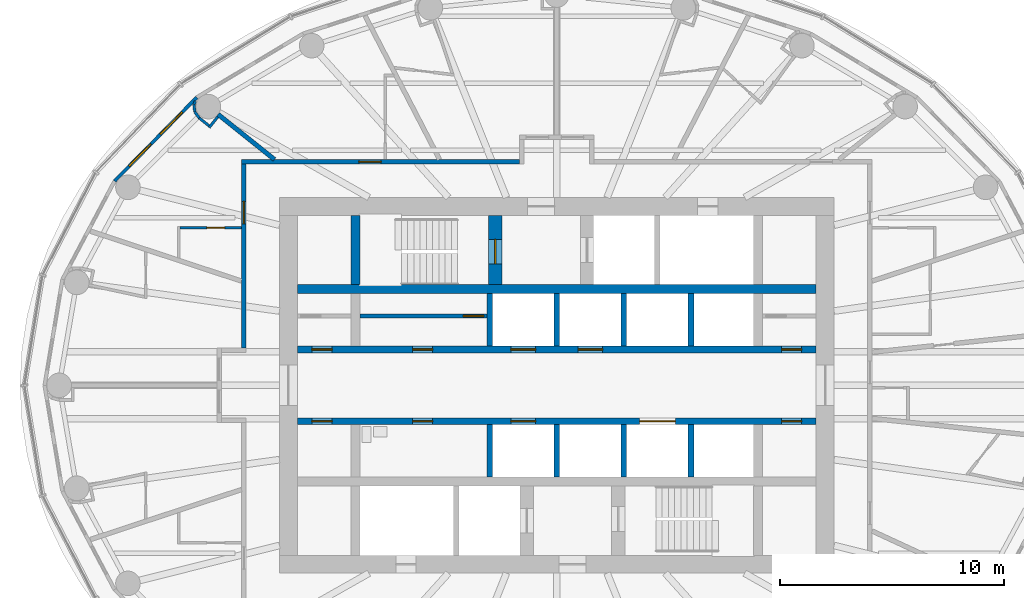
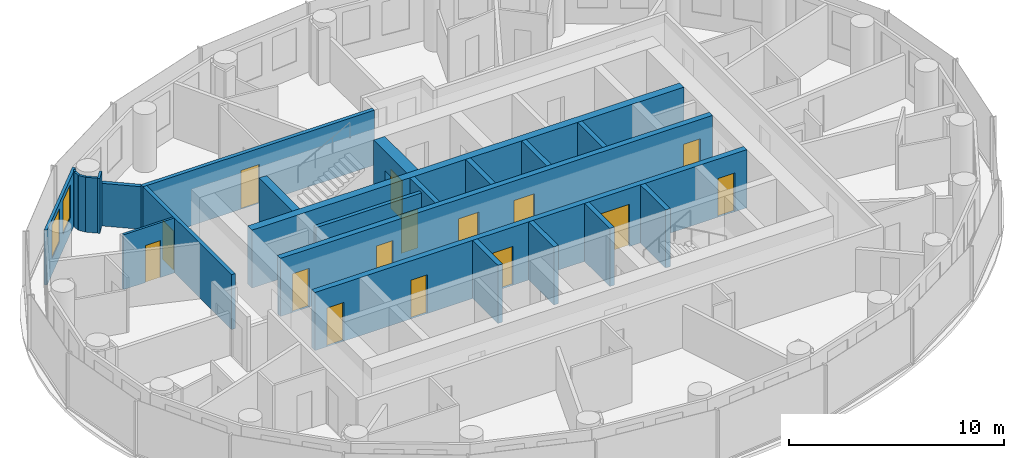
# One storey, part 9 of 16: 24 walls, 15 doors, 2 windows, 17 openings.
"""IFC4 building model written with IfcOpenShell, lengths in metres."""

from ifc_helpers import new_model, si_unit, direction, frame, frame_2d, origin, place, context, subcontext, project, spatial, rectangle, extrude, material, layer, layer_set, type_object, element, fill, save


model = new_model("IFC4")

# Units and contexts
model_context = context("Model", 3, precision=1e-05, world=origin(), true_north=direction((0.0, 1.0)))
body_context = subcontext(model_context, "Body", "Model", "MODEL_VIEW")
ifc_project = project(units=[si_unit("LENGTHUNIT", "METRE"), si_unit("AREAUNIT", "SQUARE_METRE"), si_unit("VOLUMEUNIT", "CUBIC_METRE"), si_unit("PLANEANGLEUNIT", "RADIAN"), si_unit("MASSUNIT", "GRAM", prefix="KILO")], contexts=[model_context])

# Site, building, storey
site_placement = place(None, origin())
site = spatial("IfcSite", under=ifc_project, at=site_placement, CompositionType="ELEMENT")
building_placement = place(site_placement, origin())
building = spatial("IfcBuilding", under=site, at=building_placement, Name="Hankou Lantern Tower", CompositionType="ELEMENT")
storey_placement = place(building_placement, frame((0.0, 0.0, 169.800048828125)))
storey = spatial("IfcBuildingStorey", under=building, at=storey_placement, Name="L45", CompositionType="ELEMENT", Elevation=169.800048828125)

# Walls
ifc_material_1 = material(Name="Concrete C60", Category="concrete")
ifc_layer_1 = layer(ifc_material_1, 0.39990234375)
ifc_layer_set_1 = layer_set([ifc_layer_1], Name="Concrete C60")
wall_type_1 = type_object("IfcWallType", Name="CW4 CORE CROSS WALL 400", PredefinedType="SHEAR", material=ifc_layer_set_1)
wall_1_placement = place(storey_placement, frame((-11.60009765625, 4.300048828125, 0.0), z_axis=(0.0, 0.0, 1.0), x_axis=(1.0, 0.0, 0.0)))
element("IfcWall", 1, at=wall_1_placement, inside=storey, type_object=wall_type_1, Name="Core band wall north L45", PredefinedType="SHEAR", context=body_context, shape_type="SweptSolid", body=[
    extrude(rectangle(XDim=23.2001953125, YDim=0.39990234375, at=frame_2d((11.60009765625, 0.0))), origin(), (0.0, 0.0, 1.0), 3.300048828125),
])
wall_2_placement = place(storey_placement, frame((-9.0, 4.5, 0.0), z_axis=(0.0, 0.0, 1.0), x_axis=(0.0, 1.0, 0.0)))
element("IfcWall", 2, at=wall_2_placement, inside=storey, type_object=wall_type_1, Name="Core strip wall L45", PredefinedType="SHEAR", context=body_context, shape_type="SweptSolid", body=[
    extrude(rectangle(XDim=3.10009765625, YDim=0.39990234375, at=frame_2d((1.550048828125, 0.0))), origin(), (0.0, 0.0, 1.0), 3.300048828125),
])

# Wall, openings, doors
ifc_material_2 = material(Name="Concrete C60", Category="concrete")
ifc_layer_2 = layer(ifc_material_2, 0.300048828125)
ifc_layer_set_2 = layer_set([ifc_layer_2], Name="Concrete C60")
wall_type_2 = type_object("IfcWallType", Name="CW5 LIFT LOBBY WALL 300", PredefinedType="SHEAR", material=ifc_layer_set_2)
wall_3_placement = place(storey_placement, frame((-11.60009765625, 1.60009765625, 0.0), z_axis=(0.0, 0.0, 1.0), x_axis=(1.0, 0.0, 0.0)))
wall_3 = element("IfcWall", 3, at=wall_3_placement, inside=storey, type_object=wall_type_2, Name="Lift lobby wall north L45", PredefinedType="SHEAR", context=body_context, shape_type="SweptSolid", body=[
    extrude(rectangle(XDim=23.2001953125, YDim=0.300048828125, at=frame_2d((11.60009765625, 0.0))), origin(), (0.0, 0.0, 1.0), 3.300048828125),
])
opening_1_placement = place(wall_3_placement, frame((9.550048828125, 0.0, 0.0)))
opening_1 = element("IfcOpeningElement", 4, at=opening_1_placement, cuts=wall_3, Name="Opening LD1", PredefinedType="OPENING", context=body_context, shape_type="SweptSolid", body=[
    extrude(rectangle(XDim=1.10009765625, YDim=2.199951171875, at=frame_2d((0.550048828125, 1.10009765625))), frame((0.0, 0.159912109375, 0.0), z_axis=(0.0, -1.0, 0.0), x_axis=(1.0, 0.0, 0.0)), (0.0, 0.0, 1.0), 0.320068359375),
])
opening_2_placement = place(wall_3_placement, frame((12.550048828125, 0.0, 0.0)))
opening_2 = element("IfcOpeningElement", 5, at=opening_2_placement, cuts=wall_3, Name="Opening LD1", PredefinedType="OPENING", context=body_context, shape_type="SweptSolid", body=[
    extrude(rectangle(XDim=1.10009765625, YDim=2.199951171875, at=frame_2d((0.550048828125, 1.10009765625))), frame((0.0, 0.159912109375, 0.0), z_axis=(0.0, -1.0, 0.0), x_axis=(1.0, 0.0, 0.0)), (0.0, 0.0, 1.0), 0.320068359375),
])
opening_3_placement = place(wall_3_placement, frame((0.64990234375, 0.0, 0.0)))
opening_3 = element("IfcOpeningElement", 6, at=opening_3_placement, cuts=wall_3, Name="Opening D30", PredefinedType="OPENING", context=body_context, shape_type="SweptSolid", body=[
    extrude(rectangle(XDim=0.89990234375, YDim=2.199951171875, at=frame_2d((0.449951171875, 1.10009765625))), frame((0.0, 0.159912109375, 0.0), z_axis=(0.0, -1.0, 0.0), x_axis=(1.0, 0.0, 0.0)), (0.0, 0.0, 1.0), 0.320068359375),
])
opening_4_placement = place(wall_3_placement, frame((5.14990234375, 0.0, 0.0)))
opening_4 = element("IfcOpeningElement", 7, at=opening_4_placement, cuts=wall_3, Name="Opening D30", PredefinedType="OPENING", context=body_context, shape_type="SweptSolid", body=[
    extrude(rectangle(XDim=0.89990234375, YDim=2.199951171875, at=frame_2d((0.449951171875, 1.10009765625))), frame((0.0, 0.159912109375, 0.0), z_axis=(0.0, -1.0, 0.0), x_axis=(1.0, 0.0, 0.0)), (0.0, 0.0, 1.0), 0.320068359375),
])
opening_5_placement = place(wall_3_placement, frame((21.64990234375, 0.0, 0.0)))
opening_5 = element("IfcOpeningElement", 8, at=opening_5_placement, cuts=wall_3, Name="Opening D30", PredefinedType="OPENING", context=body_context, shape_type="SweptSolid", body=[
    extrude(rectangle(XDim=0.89990234375, YDim=2.199951171875, at=frame_2d((0.449951171875, 1.10009765625))), frame((0.0, 0.159912109375, 0.0), z_axis=(0.0, -1.0, 0.0), x_axis=(1.0, 0.0, 0.0)), (0.0, 0.0, 1.0), 0.320068359375),
])
ifc_material_3 = material(Name="Steel door leaf", Category="steel")
door_type_1 = type_object("IfcDoorType", Name="D30 CORE ROOM DOOR 900X2200", OperationType="SINGLE_SWING_LEFT", PredefinedType="DOOR", material=ifc_material_3)
door_1_placement = place(opening_3_placement, origin())
door_1 = element("IfcDoor", 9, at=door_1_placement, inside=storey, type_object=door_type_1, Name="Guest pantry and ice room door", OperationType="SINGLE_SWING_LEFT", OverallHeight=2.199951171875, OverallWidth=0.89990234375, PredefinedType="DOOR", context=body_context, shape_type="SweptSolid", body=[
    extrude(rectangle(XDim=0.89990234375, YDim=2.199951171875, at=frame_2d((0.449951171875, 1.10009765625))), frame((0.0, 0.02490234375, 0.0), z_axis=(0.0, -1.0, 0.0), x_axis=(1.0, 0.0, 0.0)), (0.0, 0.0, 1.0), 0.050048828125),
])
fill(opening_3, door_1)
door_2_placement = place(opening_4_placement, origin())
door_2 = element("IfcDoor", 10, at=door_2_placement, inside=storey, type_object=door_type_1, Name="Vending room door", OperationType="SINGLE_SWING_LEFT", OverallHeight=2.199951171875, OverallWidth=0.89990234375, PredefinedType="DOOR", context=body_context, shape_type="SweptSolid", body=[
    extrude(rectangle(XDim=0.89990234375, YDim=2.199951171875, at=frame_2d((0.449951171875, 1.10009765625))), frame((0.0, 0.02490234375, 0.0), z_axis=(0.0, -1.0, 0.0), x_axis=(1.0, 0.0, 0.0)), (0.0, 0.0, 1.0), 0.050048828125),
])
fill(opening_4, door_2)
door_3_placement = place(opening_5_placement, origin())
door_3 = element("IfcDoor", 11, at=door_3_placement, inside=storey, type_object=door_type_1, Name="Staff locker room door", OperationType="SINGLE_SWING_RIGHT", OverallHeight=2.199951171875, OverallWidth=0.89990234375, PredefinedType="DOOR", context=body_context, shape_type="SweptSolid", body=[
    extrude(rectangle(XDim=0.89990234375, YDim=2.199951171875, at=frame_2d((0.449951171875, 1.10009765625))), frame((0.0, 0.02490234375, 0.0), z_axis=(0.0, -1.0, 0.0), x_axis=(1.0, 0.0, 0.0)), (0.0, 0.0, 1.0), 0.050048828125),
])
fill(opening_5, door_3)
ifc_material_4 = material(Name="Steel door leaf", Category="steel")
door_type_2 = type_object("IfcDoorType", Name="LD1 LIFT LANDING DOOR 1100X2200", OperationType="DOUBLE_DOOR_SLIDING", PredefinedType="DOOR", material=ifc_material_4)
door_4_placement = place(opening_1_placement, origin())
door_4 = element("IfcDoor", 12, at=door_4_placement, inside=storey, type_object=door_type_2, Name="Lift H1 landing door", OperationType="DOUBLE_DOOR_SLIDING", OverallHeight=2.199951171875, OverallWidth=1.10009765625, PredefinedType="DOOR", context=body_context, shape_type="SweptSolid", body=[
    extrude(rectangle(XDim=1.10009765625, YDim=2.199951171875, at=frame_2d((0.550048828125, 1.10009765625))), frame((0.0, 0.02490234375, 0.0), z_axis=(0.0, -1.0, 0.0), x_axis=(1.0, 0.0, 0.0)), (0.0, 0.0, 1.0), 0.050048828125),
])
fill(opening_1, door_4)
door_5_placement = place(opening_2_placement, origin())
door_5 = element("IfcDoor", 13, at=door_5_placement, inside=storey, type_object=door_type_2, Name="Lift H2 landing door", OperationType="DOUBLE_DOOR_SLIDING", OverallHeight=2.199951171875, OverallWidth=1.10009765625, PredefinedType="DOOR", context=body_context, shape_type="SweptSolid", body=[
    extrude(rectangle(XDim=1.10009765625, YDim=2.199951171875, at=frame_2d((0.550048828125, 1.10009765625))), frame((0.0, 0.02490234375, 0.0), z_axis=(0.0, -1.0, 0.0), x_axis=(1.0, 0.0, 0.0)), (0.0, 0.0, 1.0), 0.050048828125),
])
fill(opening_2, door_5)

wall_4_placement = place(storey_placement, frame((-11.60009765625, -1.60009765625, 0.0), z_axis=(0.0, 0.0, 1.0), x_axis=(1.0, 0.0, 0.0)))
wall_4 = element("IfcWall", 14, at=wall_4_placement, inside=storey, type_object=wall_type_2, Name="Lift lobby wall south L45", PredefinedType="SHEAR", context=body_context, shape_type="SweptSolid", body=[
    extrude(rectangle(XDim=23.2001953125, YDim=0.300048828125, at=frame_2d((11.60009765625, 0.0))), origin(), (0.0, 0.0, 1.0), 3.300048828125),
])
opening_6_placement = place(wall_4_placement, frame((9.550048828125, 0.0, 0.0)))
opening_6 = element("IfcOpeningElement", 15, at=opening_6_placement, cuts=wall_4, Name="Opening LD1", PredefinedType="OPENING", context=body_context, shape_type="SweptSolid", body=[
    extrude(rectangle(XDim=1.10009765625, YDim=2.199951171875, at=frame_2d((0.550048828125, 1.10009765625))), frame((0.0, 0.159912109375, 0.0), z_axis=(0.0, -1.0, 0.0), x_axis=(1.0, 0.0, 0.0)), (0.0, 0.0, 1.0), 0.320068359375),
])
opening_7_placement = place(wall_4_placement, frame((15.300048828125, 0.0, 0.0)))
opening_7 = element("IfcOpeningElement", 16, at=opening_7_placement, cuts=wall_4, Name="Opening LD4", PredefinedType="OPENING", context=body_context, shape_type="SweptSolid", body=[
    extrude(rectangle(XDim=1.60009765625, YDim=2.39990234375, at=frame_2d((0.800048828125, 1.199951171875))), frame((0.0, 0.159912109375, 0.0), z_axis=(0.0, -1.0, 0.0), x_axis=(1.0, 0.0, 0.0)), (0.0, 0.0, 1.0), 0.320068359375),
])
opening_8_placement = place(wall_4_placement, frame((0.64990234375, 0.0, 0.0)))
opening_8 = element("IfcOpeningElement", 17, at=opening_8_placement, cuts=wall_4, Name="Opening D30", PredefinedType="OPENING", context=body_context, shape_type="SweptSolid", body=[
    extrude(rectangle(XDim=0.89990234375, YDim=2.199951171875, at=frame_2d((0.449951171875, 1.10009765625))), frame((0.0, 0.159912109375, 0.0), z_axis=(0.0, -1.0, 0.0), x_axis=(1.0, 0.0, 0.0)), (0.0, 0.0, 1.0), 0.320068359375),
])
opening_9_placement = place(wall_4_placement, frame((5.14990234375, 0.0, 0.0)))
opening_9 = element("IfcOpeningElement", 18, at=opening_9_placement, cuts=wall_4, Name="Opening D30", PredefinedType="OPENING", context=body_context, shape_type="SweptSolid", body=[
    extrude(rectangle(XDim=0.89990234375, YDim=2.199951171875, at=frame_2d((0.449951171875, 1.10009765625))), frame((0.0, 0.159912109375, 0.0), z_axis=(0.0, -1.0, 0.0), x_axis=(1.0, 0.0, 0.0)), (0.0, 0.0, 1.0), 0.320068359375),
])
opening_10_placement = place(wall_4_placement, frame((21.64990234375, 0.0, 0.0)))
opening_10 = element("IfcOpeningElement", 19, at=opening_10_placement, cuts=wall_4, Name="Opening D30", PredefinedType="OPENING", context=body_context, shape_type="SweptSolid", body=[
    extrude(rectangle(XDim=0.89990234375, YDim=2.199951171875, at=frame_2d((0.449951171875, 1.10009765625))), frame((0.0, 0.159912109375, 0.0), z_axis=(0.0, -1.0, 0.0), x_axis=(1.0, 0.0, 0.0)), (0.0, 0.0, 1.0), 0.320068359375),
])
door_6_placement = place(opening_8_placement, origin())
door_6 = element("IfcDoor", 20, at=door_6_placement, inside=storey, type_object=door_type_1, Name="Room service pantry door", OperationType="SINGLE_SWING_LEFT", OverallHeight=2.199951171875, OverallWidth=0.89990234375, PredefinedType="DOOR", context=body_context, shape_type="SweptSolid", body=[
    extrude(rectangle(XDim=0.89990234375, YDim=2.199951171875, at=frame_2d((0.449951171875, 1.10009765625))), frame((0.0, 0.02490234375, 0.0), z_axis=(0.0, -1.0, 0.0), x_axis=(1.0, 0.0, 0.0)), (0.0, 0.0, 1.0), 0.050048828125),
])
fill(opening_8, door_6)
door_7_placement = place(opening_9_placement, origin())
door_7 = element("IfcDoor", 21, at=door_7_placement, inside=storey, type_object=door_type_1, Name="Accessible staff WC door", OperationType="SINGLE_SWING_LEFT", OverallHeight=2.199951171875, OverallWidth=0.89990234375, PredefinedType="DOOR", context=body_context, shape_type="SweptSolid", body=[
    extrude(rectangle(XDim=0.89990234375, YDim=2.199951171875, at=frame_2d((0.449951171875, 1.10009765625))), frame((0.0, 0.02490234375, 0.0), z_axis=(0.0, -1.0, 0.0), x_axis=(1.0, 0.0, 0.0)), (0.0, 0.0, 1.0), 0.050048828125),
])
fill(opening_9, door_7)
door_8_placement = place(opening_10_placement, origin())
door_8 = element("IfcDoor", 22, at=door_8_placement, inside=storey, type_object=door_type_1, Name="Housekeeping and linen store door", OperationType="SINGLE_SWING_RIGHT", OverallHeight=2.199951171875, OverallWidth=0.89990234375, PredefinedType="DOOR", context=body_context, shape_type="SweptSolid", body=[
    extrude(rectangle(XDim=0.89990234375, YDim=2.199951171875, at=frame_2d((0.449951171875, 1.10009765625))), frame((0.0, 0.02490234375, 0.0), z_axis=(0.0, -1.0, 0.0), x_axis=(1.0, 0.0, 0.0)), (0.0, 0.0, 1.0), 0.050048828125),
])
fill(opening_10, door_8)
door_9_placement = place(opening_6_placement, origin())
door_9 = element("IfcDoor", 23, at=door_9_placement, inside=storey, type_object=door_type_2, Name="Lift H3 landing door", OperationType="DOUBLE_DOOR_SLIDING", OverallHeight=2.199951171875, OverallWidth=1.10009765625, PredefinedType="DOOR", context=body_context, shape_type="SweptSolid", body=[
    extrude(rectangle(XDim=1.10009765625, YDim=2.199951171875, at=frame_2d((0.550048828125, 1.10009765625))), frame((0.0, 0.02490234375, 0.0), z_axis=(0.0, -1.0, 0.0), x_axis=(1.0, 0.0, 0.0)), (0.0, 0.0, 1.0), 0.050048828125),
])
fill(opening_6, door_9)
ifc_material_5 = material(Name="Steel door leaf", Category="steel")
door_type_3 = type_object("IfcDoorType", Name="LD4 SERVICE LIFT LANDING DOOR 1600X2400", OperationType="DOUBLE_DOOR_SLIDING", PredefinedType="DOOR", material=ifc_material_5)
door_10_placement = place(opening_7_placement, origin())
door_10 = element("IfcDoor", 24, at=door_10_placement, inside=storey, type_object=door_type_3, Name="Lift SV1 landing door", OperationType="DOUBLE_DOOR_SLIDING", OverallHeight=2.39990234375, OverallWidth=1.60009765625, PredefinedType="DOOR", context=body_context, shape_type="SweptSolid", body=[
    extrude(rectangle(XDim=1.60009765625, YDim=2.39990234375, at=frame_2d((0.800048828125, 1.199951171875))), frame((0.0, 0.02490234375, 0.0), z_axis=(0.0, -1.0, 0.0), x_axis=(1.0, 0.0, 0.0)), (0.0, 0.0, 1.0), 0.050048828125),
])
fill(opening_7, door_10)

# Wall, opening, door
ifc_material_6 = material(Name="Concrete C60", Category="concrete")
ifc_layer_3 = layer(ifc_material_6, 0.60009765625)
ifc_layer_set_3 = layer_set([ifc_layer_3], Name="Concrete C60")
wall_type_3 = type_object("IfcWallType", Name="CW6 STAIR AND SHAFT WALL 600", PredefinedType="SHEAR", material=ifc_layer_set_3)
wall_5_placement = place(storey_placement, frame((-2.75, 4.5, 0.0), z_axis=(0.0, 0.0, 1.0), x_axis=(0.0, 1.0, 0.0)))
wall_5 = element("IfcWall", 25, at=wall_5_placement, inside=storey, type_object=wall_type_3, Name="Stair wall L45", PredefinedType="SHEAR", context=body_context, shape_type="SweptSolid", body=[
    extrude(rectangle(XDim=3.10009765625, YDim=0.60009765625, at=frame_2d((1.550048828125, 0.0))), origin(), (0.0, 0.0, 1.0), 3.300048828125),
])
opening_11_placement = place(wall_5_placement, frame((0.925048828125, 0.0, 0.0)))
opening_11 = element("IfcOpeningElement", 26, at=opening_11_placement, cuts=wall_5, Name="Opening D4", PredefinedType="OPENING", context=body_context, shape_type="SweptSolid", body=[
    extrude(rectangle(XDim=1.10009765625, YDim=2.199951171875, at=frame_2d((0.550048828125, 1.10009765625))), frame((0.0, 0.31005859375, 0.0), z_axis=(0.0, -1.0, 0.0), x_axis=(1.0, 0.0, 0.0)), (0.0, 0.0, 1.0), 0.6201171875),
])
ifc_material_7 = material(Name="Steel door leaf", Category="steel")
door_type_4 = type_object("IfcDoorType", Name="D4 STAIR DOOR 1100X2200", OperationType="SINGLE_SWING_LEFT", PredefinedType="DOOR", material=ifc_material_7)
door_11_placement = place(opening_11_placement, origin())
door_11 = element("IfcDoor", 27, at=door_11_placement, inside=storey, type_object=door_type_4, Name="Stair A door", OperationType="SINGLE_SWING_LEFT", OverallHeight=2.199951171875, OverallWidth=1.10009765625, PredefinedType="DOOR", context=body_context, shape_type="SweptSolid", body=[
    extrude(rectangle(XDim=1.10009765625, YDim=2.199951171875, at=frame_2d((0.550048828125, 1.10009765625))), frame((0.0, 0.02490234375, 0.0), z_axis=(0.0, -1.0, 0.0), x_axis=(1.0, 0.0, 0.0)), (0.0, 0.0, 1.0), 0.050048828125),
])
fill(opening_11, door_11)

# Wall, openings, windows
ifc_material_8 = material(Name="Aluminium spandrel panel on steel studs", Category="steel")
ifc_layer_4 = layer(ifc_material_8, 0.14990234375)
ifc_layer_set_4 = layer_set([ifc_layer_4], Name="Aluminium spandrel panel on steel studs")
wall_type_4 = type_object("IfcWallType", Name="EW1 INNER SKIN WALL 150", PredefinedType="ELEMENTEDWALL", material=ifc_layer_set_4)
wall_6_placement = place(storey_placement, frame((-16.0947265625, 12.875732421875, 0.0), z_axis=(0.0, 0.0, 1.0), x_axis=(-0.700727467776, -0.71342905457, 0.0)))
wall_6 = element("IfcWall", 28, at=wall_6_placement, inside=storey, type_object=wall_type_4, Name="Inner skin R10-R11 L45", PredefinedType="ELEMENTEDWALL", context=body_context, shape_type="SweptSolid", body=[
    extrude(rectangle(XDim=5.247314453125, YDim=0.14990234375, at=frame_2d((2.62353515625, 0.0))), origin(), (0.0, 0.0, 1.0), 3.119873046875),
])
opening_12_placement = place(wall_6_placement, frame((0.923583984375, 0.0, 0.89990234375)))
opening_12 = element("IfcOpeningElement", 29, at=opening_12_placement, cuts=wall_6, Name="Opening W3", PredefinedType="OPENING", context=body_context, shape_type="SweptSolid", body=[
    extrude(rectangle(XDim=1.39990234375, YDim=1.89990234375, at=frame_2d((0.699951171875, 0.949951171875))), frame((0.0, 0.0849609375, 0.0), z_axis=(0.0, -1.0, 0.0), x_axis=(1.0, 0.0, 0.0)), (0.0, 0.0, 1.0), 0.169921875),
])
opening_13_placement = place(wall_6_placement, frame((2.923583984375, 0.0, 0.89990234375)))
opening_13 = element("IfcOpeningElement", 30, at=opening_13_placement, cuts=wall_6, Name="Opening W3", PredefinedType="OPENING", context=body_context, shape_type="SweptSolid", body=[
    extrude(rectangle(XDim=1.39990234375, YDim=1.89990234375, at=frame_2d((0.699951171875, 0.949951171875))), frame((0.0, 0.0849609375, 0.0), z_axis=(0.0, -1.0, 0.0), x_axis=(1.0, 0.0, 0.0)), (0.0, 0.0, 1.0), 0.169921875),
])
ifc_material_9 = material(Name="Aluminium framed double glazed window", Category="aluminium")
window_type = type_object("IfcWindowType", Name="W3 GUEST ROOM WINDOW 1400X1900", PartitioningType="DOUBLE_PANEL_VERTICAL", PredefinedType="WINDOW", material=ifc_material_9)
window_1_placement = place(opening_12_placement, origin())
window_1 = element("IfcWindow", 31, at=window_1_placement, inside=storey, type_object=window_type, Name="Window R10.1 L45", OverallHeight=1.89990234375, OverallWidth=1.39990234375, PartitioningType="SINGLE_PANEL", PredefinedType="WINDOW", context=body_context, shape_type="SweptSolid", body=[
    extrude(rectangle(XDim=1.39990234375, YDim=1.89990234375, at=frame_2d((0.699951171875, 0.949951171875))), frame((0.0, 0.030029296875, 0.0), z_axis=(0.0, -1.0, 0.0), x_axis=(1.0, 0.0, 0.0)), (0.0, 0.0, 1.0), 0.06005859375),
])
fill(opening_12, window_1)
window_2_placement = place(opening_13_placement, origin())
window_2 = element("IfcWindow", 32, at=window_2_placement, inside=storey, type_object=window_type, Name="Window R10.2 L45", OverallHeight=1.89990234375, OverallWidth=1.39990234375, PartitioningType="SINGLE_PANEL", PredefinedType="WINDOW", context=body_context, shape_type="SweptSolid", body=[
    extrude(rectangle(XDim=1.39990234375, YDim=1.89990234375, at=frame_2d((0.699951171875, 0.949951171875))), frame((0.0, 0.030029296875, 0.0), z_axis=(0.0, -1.0, 0.0), x_axis=(1.0, 0.0, 0.0)), (0.0, 0.0, 1.0), 0.06005859375),
])
fill(opening_13, window_2)

# Wall
ifc_material_10 = material(Name="Masonry lightweight concrete block", Category="masonry")
ifc_layer_5 = layer(ifc_material_10, 0.199951171875)
ifc_layer_set_5 = layer_set([ifc_layer_5], Name="Masonry lightweight concrete block")
wall_type_5 = type_object("IfcWallType", Name="IW1 GUEST ROOM PARTY WALL 200", PredefinedType="PARTITIONING", material=ifc_layer_set_5)
wall_7_placement = place(storey_placement, frame((-12.625, 10.10009765625, 0.0), z_axis=(0.0, 0.0, 1.0), x_axis=(-0.780876185034, 0.624685827954, 0.0)))
element("IfcWall", 33, at=wall_7_placement, inside=storey, type_object=wall_type_5, Name="Party wall R10", PredefinedType="PARTITIONING", context=body_context, shape_type="SweptSolid", body=[
    extrude(rectangle(XDim=3.229248046875, YDim=0.199951171875, at=frame_2d((1.61474609375, 0.0))), origin(), (0.0, 0.0, 1.0), 2.419921875),
])

# Wall, opening, door
ifc_material_11 = material(Name="Masonry lightweight concrete block", Category="masonry")
ifc_layer_6 = layer(ifc_material_11, 0.199951171875)
ifc_layer_set_6 = layer_set([ifc_layer_6], Name="Masonry lightweight concrete block")
wall_type_6 = type_object("IfcWallType", Name="IW2 CORRIDOR WALL 200", PredefinedType="PARTITIONING", material=ifc_layer_set_6)
wall_8_placement = place(storey_placement, frame((-14.10009765625, 10.0, 0.0), z_axis=(0.0, 0.0, 1.0), x_axis=(1.0, 0.0, 0.0)))
wall_8 = element("IfcWall", 34, at=wall_8_placement, inside=storey, type_object=wall_type_6, Name="Corridor wall north", PredefinedType="PARTITIONING", context=body_context, shape_type="SweptSolid", body=[
    extrude(rectangle(XDim=12.43017578125, YDim=0.199951171875, at=frame_2d((6.215087890625, 0.0))), origin(), (0.0, 0.0, 1.0), 3.119873046875),
])
opening_14_placement = place(wall_8_placement, frame((5.25, 0.0, 0.0)))
opening_14 = element("IfcOpeningElement", 35, at=opening_14_placement, cuts=wall_8, Name="Opening D1", PredefinedType="OPENING", context=body_context, shape_type="SweptSolid", body=[
    extrude(rectangle(XDim=1.0, YDim=2.199951171875, at=frame_2d((0.5, 1.10009765625))), frame((0.0, 0.10986328125, 0.0), z_axis=(0.0, -1.0, 0.0), x_axis=(1.0, 0.0, 0.0)), (0.0, 0.0, 1.0), 0.219970703125),
])
ifc_material_12 = material(Name="Steel door leaf", Category="steel")
door_type_5 = type_object("IfcDoorType", Name="D1 GUEST ROOM DOOR 1000X2200", OperationType="SINGLE_SWING_LEFT", PredefinedType="DOOR", material=ifc_material_12)
door_12_placement = place(opening_14_placement, origin())
door_12 = element("IfcDoor", 36, at=door_12_placement, inside=storey, type_object=door_type_5, Name="Guest room door 4510", OperationType="SINGLE_SWING_RIGHT", OverallHeight=2.199951171875, OverallWidth=1.0, PredefinedType="DOOR", context=body_context, shape_type="SweptSolid", body=[
    extrude(rectangle(XDim=1.0, YDim=2.199951171875, at=frame_2d((0.5, 1.10009765625))), frame((0.0, 0.02490234375, 0.0), z_axis=(0.0, -1.0, 0.0), x_axis=(1.0, 0.0, 0.0)), (0.0, 0.0, 1.0), 0.050048828125),
])
fill(opening_14, door_12)

wall_9_placement = place(storey_placement, frame((-14.0, 9.89990234375, 0.0), z_axis=(0.0, 0.0, 1.0), x_axis=(0.0, -1.0, 0.0)))
wall_9 = element("IfcWall", 37, at=wall_9_placement, inside=storey, type_object=wall_type_6, Name="Corridor wall west", PredefinedType="PARTITIONING", context=body_context, shape_type="SweptSolid", body=[
    extrude(rectangle(XDim=8.22998046875, YDim=0.199951171875, at=frame_2d((4.114990234375, 0.0))), origin(), (0.0, 0.0, 1.0), 3.119873046875),
])
opening_15_placement = place(wall_9_placement, frame((1.678466796875, 0.0, 0.0)))
opening_15 = element("IfcOpeningElement", 38, at=opening_15_placement, cuts=wall_9, Name="Opening D1", PredefinedType="OPENING", context=body_context, shape_type="SweptSolid", body=[
    extrude(rectangle(XDim=1.0, YDim=2.199951171875, at=frame_2d((0.5, 1.10009765625))), frame((0.0, 0.10986328125, 0.0), z_axis=(0.0, -1.0, 0.0), x_axis=(1.0, 0.0, 0.0)), (0.0, 0.0, 1.0), 0.219970703125),
])
door_13_placement = place(opening_15_placement, origin())
door_13 = element("IfcDoor", 39, at=door_13_placement, inside=storey, type_object=door_type_5, Name="Guest room door 4511", OperationType="SINGLE_SWING_LEFT", OverallHeight=2.199951171875, OverallWidth=1.0, PredefinedType="DOOR", context=body_context, shape_type="SweptSolid", body=[
    extrude(rectangle(XDim=1.0, YDim=2.199951171875, at=frame_2d((0.5, 1.10009765625))), frame((0.0, 0.02490234375, 0.0), z_axis=(0.0, -1.0, 0.0), x_axis=(1.0, 0.0, 0.0)), (0.0, 0.0, 1.0), 0.050048828125),
])
fill(opening_15, door_13)

ifc_material_13 = material(Name="Masonry lightweight concrete block", Category="masonry")
ifc_layer_7 = layer(ifc_material_13, 0.1201171875)
ifc_layer_set_7 = layer_set([ifc_layer_7], Name="Masonry lightweight concrete block")
wall_type_7 = type_object("IfcWallType", Name="IW3 BATHROOM WALL 120", PredefinedType="PARTITIONING", material=ifc_layer_set_7)
wall_10_placement = place(storey_placement, frame((-14.10009765625, 7.04150390625, 0.0), z_axis=(0.0, 0.0, 1.0), x_axis=(-1.0, 0.0, 0.0)))
wall_10 = element("IfcWall", 40, at=wall_10_placement, inside=storey, type_object=wall_type_7, Name="Box wall 4511 1", PredefinedType="PARTITIONING", context=body_context, shape_type="SweptSolid", body=[
    extrude(rectangle(XDim=2.739990234375, YDim=0.1201171875, at=frame_2d((1.3701171875, 0.0))), origin(), (0.0, 0.0, 1.0), 3.119873046875),
])
opening_16_placement = place(wall_10_placement, frame((0.75, 0.0, 0.0)))
opening_16 = element("IfcOpeningElement", 41, at=opening_16_placement, cuts=wall_10, Name="Opening D3", PredefinedType="OPENING", context=body_context, shape_type="SweptSolid", body=[
    extrude(rectangle(XDim=0.800048828125, YDim=2.10009765625, at=frame_2d((0.39990234375, 1.050048828125))), frame((0.0, 0.070068359375, 0.0), z_axis=(0.0, -1.0, 0.0), x_axis=(1.0, 0.0, 0.0)), (0.0, 0.0, 1.0), 0.14013671875),
])
ifc_material_14 = material(Name="Timber door leaf", Category="wood")
door_type_6 = type_object("IfcDoorType", Name="D3 BATHROOM DOOR 800X2100", OperationType="SINGLE_SWING_LEFT", PredefinedType="DOOR", material=ifc_material_14)
door_14_placement = place(opening_16_placement, origin())
door_14 = element("IfcDoor", 42, at=door_14_placement, inside=storey, type_object=door_type_6, Name="En-suite bathroom 4511 door", OperationType="SINGLE_SWING_LEFT", OverallHeight=2.10009765625, OverallWidth=0.800048828125, PredefinedType="DOOR", context=body_context, shape_type="SweptSolid", body=[
    extrude(rectangle(XDim=0.800048828125, YDim=2.10009765625, at=frame_2d((0.39990234375, 1.050048828125))), frame((0.0, 0.02490234375, 0.0), z_axis=(0.0, -1.0, 0.0), x_axis=(1.0, 0.0, 0.0)), (0.0, 0.0, 1.0), 0.050048828125),
])
fill(opening_16, door_14)

# Walls
ifc_material_15 = material(Name="Masonry lightweight concrete block", Category="masonry")
ifc_layer_8 = layer(ifc_material_15, 0.1201171875)
ifc_layer_set_8 = layer_set([ifc_layer_8], Name="Masonry lightweight concrete block")
wall_type_8 = type_object("IfcWallType", Name="IW4 PARTITION 120", PredefinedType="PARTITIONING", material=ifc_layer_set_8)
wall_11_placement = place(storey_placement, frame((-15.162353515625, 12.001708984375, 0.0), z_axis=(0.0, 0.0, 1.0), x_axis=(-0.624597762427, -0.780946627607, 0.0)))
element("IfcWall", 43, at=wall_11_placement, inside=storey, type_object=wall_type_8, Name="Column casing R10 return", PredefinedType="PARTITIONING", context=body_context, shape_type="SweptSolid", body=[
    extrude(rectangle(XDim=0.612060546875, YDim=0.1201171875, at=frame_2d((0.30615234375, 0.0))), origin(), (0.0, 0.0, 1.0), 3.119873046875),
])
wall_12_placement = place(storey_placement, frame((-15.55419921875, 11.60791015625, 0.0), z_axis=(0.0, 0.0, 1.0), x_axis=(-0.780695577787, 0.624911525597, 0.0)))
element("IfcWall", 44, at=wall_12_placement, inside=storey, type_object=wall_type_8, Name="Column casing R10", PredefinedType="PARTITIONING", context=body_context, shape_type="SweptSolid", body=[
    extrude(rectangle(XDim=0.550048828125, YDim=0.1201171875, at=frame_2d((0.27490234375, 0.0))), origin(), (0.0, 0.0, 1.0), 3.119873046875),
])
wall_13_placement = place(storey_placement, frame((-15.983642578125, 11.95166015625, 0.0), z_axis=(0.0, 0.0, 1.0), x_axis=(-0.592335221171, 0.805691619517, 0.0)))
element("IfcWall", 45, at=wall_13_placement, inside=storey, type_object=wall_type_8, Name="Column casing R10", PredefinedType="PARTITIONING", context=body_context, shape_type="SweptSolid", body=[
    extrude(rectangle(XDim=0.337646484375, YDim=0.1201171875, at=frame_2d((0.1689453125, 0.0))), origin(), (0.0, 0.0, 1.0), 3.119873046875),
])
wall_14_placement = place(storey_placement, frame((-16.18359375, 12.2236328125, 0.0), z_axis=(0.0, 0.0, 1.0), x_axis=(-0.110669692975, 0.993857242795, 0.0)))
element("IfcWall", 46, at=wall_14_placement, inside=storey, type_object=wall_type_8, Name="Column casing R10", PredefinedType="PARTITIONING", context=body_context, shape_type="SweptSolid", body=[
    extrude(rectangle(XDim=0.33740234375, YDim=0.1201171875, at=frame_2d((0.168701171875, 0.0))), origin(), (0.0, 0.0, 1.0), 3.119873046875),
])
wall_15_placement = place(storey_placement, frame((-16.220947265625, 12.55908203125, 0.0), z_axis=(0.0, 0.0, 1.0), x_axis=(0.401064416249, 0.916049853457, 0.0)))
element("IfcWall", 47, at=wall_15_placement, inside=storey, type_object=wall_type_8, Name="Column casing R10", PredefinedType="PARTITIONING", context=body_context, shape_type="SweptSolid", body=[
    extrude(rectangle(XDim=0.156494140625, YDim=0.1201171875, at=frame_2d((0.078125, 0.0))), origin(), (0.0, 0.0, 1.0), 3.119873046875),
])

# Wall, opening, door
ifc_material_16 = material(Name="Masonry lightweight concrete block", Category="masonry")
ifc_layer_9 = layer(ifc_material_16, 0.199951171875)
ifc_layer_set_9 = layer_set([ifc_layer_9], Name="Masonry lightweight concrete block")
wall_type_9 = type_object("IfcWallType", Name="IW8 PARTITION 200", PredefinedType="PARTITIONING", material=ifc_layer_set_9)
wall_16_placement = place(storey_placement, frame((-8.800048828125, 3.10009765625, 0.0), z_axis=(0.0, 0.0, 1.0), x_axis=(1.0, 0.0, 0.0)))
wall_16 = element("IfcWall", 48, at=wall_16_placement, inside=storey, type_object=wall_type_9, Name="Partition vending room", PredefinedType="PARTITIONING", context=body_context, shape_type="SweptSolid", body=[
    extrude(rectangle(XDim=5.675048828125, YDim=0.199951171875, at=frame_2d((2.83740234375, 0.0))), origin(), (0.0, 0.0, 1.0), 3.119873046875),
])
opening_17_placement = place(wall_16_placement, frame((4.625, 0.0, 0.0)))
opening_17 = element("IfcOpeningElement", 49, at=opening_17_placement, cuts=wall_16, Name="Opening D12", PredefinedType="OPENING", context=body_context, shape_type="SweptSolid", body=[
    extrude(rectangle(XDim=0.89990234375, YDim=2.199951171875, at=frame_2d((0.449951171875, 1.10009765625))), frame((0.0, 0.10986328125, 0.0), z_axis=(0.0, -1.0, 0.0), x_axis=(1.0, 0.0, 0.0)), (0.0, 0.0, 1.0), 0.219970703125),
])
ifc_material_17 = material(Name="Steel door leaf", Category="steel")
door_type_7 = type_object("IfcDoorType", Name="D12 STORE DOOR 900X2200", OperationType="SINGLE_SWING_LEFT", PredefinedType="DOOR", material=ifc_material_17)
door_15_placement = place(opening_17_placement, origin())
door_15 = element("IfcDoor", 50, at=door_15_placement, inside=storey, type_object=door_type_7, Name="Vending stock cupboard door", OperationType="SINGLE_SWING_RIGHT", OverallHeight=2.199951171875, OverallWidth=0.89990234375, PredefinedType="DOOR", context=body_context, shape_type="SweptSolid", body=[
    extrude(rectangle(XDim=0.89990234375, YDim=2.199951171875, at=frame_2d((0.449951171875, 1.10009765625))), frame((0.0, 0.02490234375, 0.0), z_axis=(0.0, -1.0, 0.0), x_axis=(1.0, 0.0, 0.0)), (0.0, 0.0, 1.0), 0.050048828125),
])
fill(opening_17, door_15)

# Walls
ifc_material_18 = material(Name="Masonry autoclaved aerated concrete block", Category="masonry")
ifc_layer_10 = layer(ifc_material_18, 0.25)
ifc_layer_set_10 = layer_set([ifc_layer_10], Name="Masonry autoclaved aerated concrete block")
wall_type_10 = type_object("IfcWallType", Name="SW1 SHAFT BLOCK WALL 250", PredefinedType="PARTITIONING", material=ifc_layer_set_10)
for number, where, z_axis, x_axis, name in (
    (51, (-3.0, 1.75, 0.0), (0.0, 0.0, 1.0), (0.0, 1.0, 0.0), "Lift shaft wall L45"),
    (52, (0.0, 1.75, 0.0), (0.0, 0.0, 1.0), (0.0, 1.0, 0.0), "Lift shaft wall L45"),
    (53, (3.0, 1.75, 0.0), (0.0, 0.0, 1.0), (0.0, 1.0, 0.0), "Lift shaft wall L45"),
    (54, (6.0, 1.75, 0.0), (0.0, 0.0, 1.0), (0.0, 1.0, 0.0), "Lift shaft wall L45"),
    (55, (-3.0, -4.10009765625, 0.0), (0.0, 0.0, 1.0), (0.0, 1.0, 0.0), "Lift shaft wall L45"),
    (56, (0.0, -4.10009765625, 0.0), (0.0, 0.0, 1.0), (0.0, 1.0, 0.0), "Lift shaft wall L45"),
    (57, (3.0, -4.10009765625, 0.0), (0.0, 0.0, 1.0), (0.0, 1.0, 0.0), "Lift shaft wall L45"),
    (58, (6.0, -4.10009765625, 0.0), (0.0, 0.0, 1.0), (0.0, 1.0, 0.0), "Lift shaft wall L45"),
):
    element("IfcWall", number, at=place(storey_placement, frame(where, z_axis=z_axis, x_axis=x_axis)), inside=storey, type_object=wall_type_10, Name=name, PredefinedType="PARTITIONING", context=body_context, shape_type="SweptSolid", body=[
        extrude(rectangle(XDim=2.35009765625, YDim=0.25, at=frame_2d((1.175048828125, 0.0))), origin(), (0.0, 0.0, 1.0), 3.300048828125),
    ])

save(model, "model.ifc")
